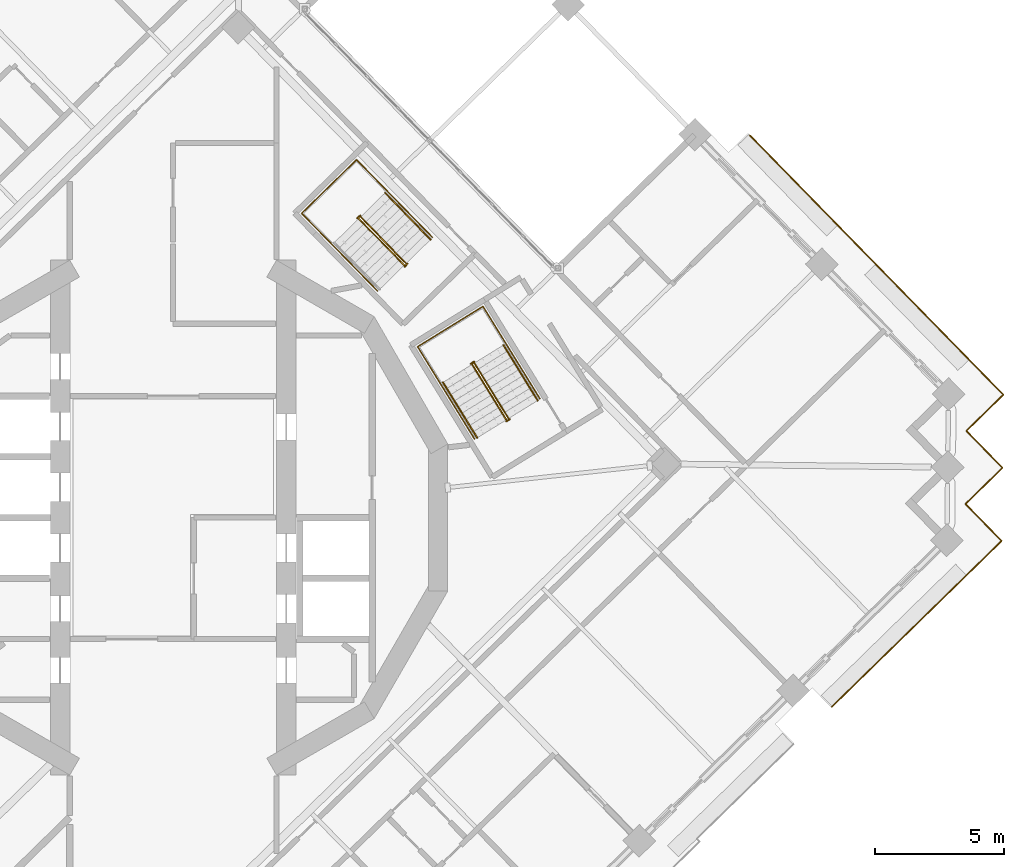
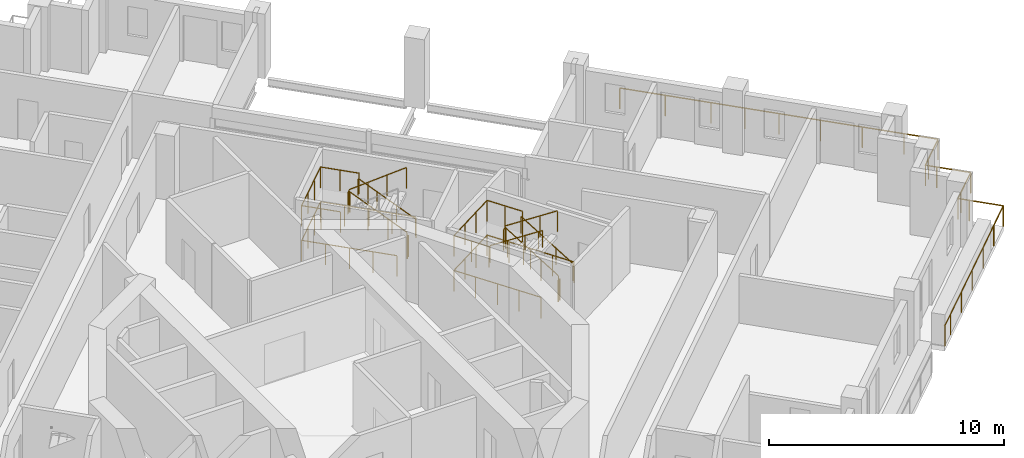
# One storey, part 18 of 20: 14 railings.
"""IFC4 building model written with IfcOpenShell, lengths in metres."""

from ifc_helpers import new_model, si_unit, direction, frame, origin, origin_2d, place, context, subcontext, project, spatial, circle, extrude, material, type_object, element, save


model = new_model("IFC4")

# Units and contexts
model_context = context("Model", 3, precision=1e-05, world=origin(), true_north=direction((0.0, 1.0)))
body_context = subcontext(model_context, "Body", "Model", "MODEL_VIEW")
ifc_project = project(units=[si_unit("LENGTHUNIT", "METRE"), si_unit("AREAUNIT", "SQUARE_METRE"), si_unit("VOLUMEUNIT", "CUBIC_METRE"), si_unit("PLANEANGLEUNIT", "RADIAN"), si_unit("MASSUNIT", "GRAM", prefix="KILO")], contexts=[model_context])

# Site, building, storey
site_placement = place(None, origin())
site = spatial("IfcSite", under=ifc_project, at=site_placement, CompositionType="ELEMENT")
building_placement = place(site_placement, origin())
building = spatial("IfcBuilding", under=site, at=building_placement, Name="Cantera Rosa Tower", CompositionType="ELEMENT")
storey_placement = place(building_placement, frame((0.0, 0.0, 209.0)))
storey = spatial("IfcBuildingStorey", under=building, at=storey_placement, Name="L44", CompositionType="ELEMENT", Elevation=209.0)

# Railings
ifc_material_1 = material(Name="Stainless steel and laminated glass", Category="steel")
railing_type_1 = type_object("IfcRailingType", Name="GUARD 1100", PredefinedType="BALUSTRADE", material=ifc_material_1)
railing_1_placement = place(storey_placement, frame((22.313232421875, 14.795654296875, 0.0)))
element("IfcRailing", 1, at=railing_1_placement, inside=storey, type_object=railing_type_1, Name="GUARD L44-12", PredefinedType="BALUSTRADE", context=body_context, shape_type="SweptSolid", body=[
    extrude(circle(Radius=0.030029296875, at=origin_2d()), frame((0.0, 0.0, 1.070068359375), z_axis=(0.698829866575, -0.715287926351, 0.0), x_axis=(0.715287926351, 0.698829866575, 0.0)), (0.0, 0.0, 1.0), 4.02001953125),
    extrude(circle(Radius=0.030029296875, at=origin_2d()), frame((2.809326171875, -2.87548828125, 1.070068359375), z_axis=(0.698839281014, -0.715278728407, 0.0), x_axis=(0.715278728407, 0.698839281014, 0.0)), (0.0, 0.0, 1.0), 3.0),
    extrude(circle(Radius=0.030029296875, at=origin_2d()), frame((4.90576171875, -5.021240234375, 1.070068359375), z_axis=(0.698810055914, -0.715307280652, 0.0), x_axis=(0.715307280652, 0.698810055914, 0.0)), (0.0, 0.0, 1.0), 5.52001953125),
    extrude(circle(Radius=0.030029296875, at=origin_2d()), frame((8.76318359375, -8.9697265625, 1.070068359375), z_axis=(0.698921594874, -0.71519829713, 0.0), x_axis=(0.71519829713, 0.698921594874, 0.0)), (0.0, 0.0, 1.0), 1.5),
    extrude(circle(Radius=0.030029296875, at=origin_2d()), frame((9.8115234375, -10.04248046875, 1.070068359375), z_axis=(-0.715277793538, -0.698840237873, 0.0), x_axis=(0.698840237873, -0.715277793538, 0.0)), (0.0, 0.0, 1.0), 1.5),
    extrude(circle(Radius=0.030029296875, at=origin_2d()), frame((8.738525390625, -11.0908203125, 1.070068359375), z_axis=(-0.715359149995, -0.698756958118, 0.0), x_axis=(0.698756958118, -0.715359149995, 0.0)), (0.0, 0.0, 1.0), 0.5),
    extrude(circle(Radius=0.030029296875, at=origin_2d()), frame((8.380859375, -11.440185546875, 1.070068359375), z_axis=(0.699006712162, -0.715115107065, 0.0), x_axis=(0.715115107065, 0.699006712162, 0.0)), (0.0, 0.0, 1.0), 0.500244140625),
    extrude(circle(Radius=0.030029296875, at=origin_2d()), frame((8.73046875, -11.7978515625, 1.070068359375), z_axis=(0.698756958118, -0.715359149995, 0.0), x_axis=(0.715359149995, 0.698756958118, 0.0)), (0.0, 0.0, 1.0), 1.5),
    extrude(circle(Radius=0.030029296875, at=origin_2d()), frame((9.778564453125, -12.870849609375, 1.070068359375), z_axis=(-0.71519829713, -0.698921594874, 0.0), x_axis=(0.698921594874, -0.71519829713, 0.0)), (0.0, 0.0, 1.0), 1.5),
    extrude(circle(Radius=0.030029296875, at=origin_2d()), frame((8.705810546875, -13.919189453125, 1.070068359375), z_axis=(-0.715359149995, -0.698756958118, 0.0), x_axis=(0.698756958118, -0.715359149995, 0.0)), (0.0, 0.0, 1.0), 0.5),
    extrude(circle(Radius=0.030029296875, at=origin_2d()), frame((8.34814453125, -14.2685546875, 1.070068359375), z_axis=(0.698756958118, -0.715359149995, 0.0), x_axis=(0.715359149995, 0.698756958118, 0.0)), (0.0, 0.0, 1.0), 0.5),
    extrude(circle(Radius=0.030029296875, at=origin_2d()), frame((8.697509765625, -14.626220703125, 1.070068359375), z_axis=(0.698838323933, -0.71527966349, 0.0), x_axis=(0.71527966349, 0.698838323933, 0.0)), (0.0, 0.0, 1.0), 1.499755859375),
    extrude(circle(Radius=0.030029296875, at=origin_2d()), frame((9.74560546875, -15.698974609375, 1.070068359375), z_axis=(-0.71519829713, -0.698921594874, 0.0), x_axis=(0.698921594874, -0.71519829713, 0.0)), (0.0, 0.0, 1.0), 1.5),
    extrude(circle(Radius=0.030029296875, at=origin_2d()), frame((8.6728515625, -16.747314453125, 1.070068359375), z_axis=(-0.715292116391, -0.698825577829, 0.0), x_axis=(0.698825577829, -0.715292116391, 0.0)), (0.0, 0.0, 1.0), 6.820068359375),
    extrude(circle(Radius=0.030029296875, at=origin_2d()), frame((3.79443359375, -21.513427734375, 1.070068359375), z_axis=(-0.715337030636, -0.698779602308, 0.0), x_axis=(0.698779602308, -0.715337030636, 0.0)), (0.0, 0.0, 1.0), 0.869873046875),
    extrude(circle(Radius=0.02490234375, at=origin_2d()), origin(), (0.0, 0.0, 1.0), 1.0400390625),
    extrude(circle(Radius=0.02490234375, at=origin_2d()), frame((1.40478515625, -1.437744140625, 0.0)), (0.0, 0.0, 1.0), 1.0400390625),
    extrude(circle(Radius=0.02490234375, at=origin_2d()), frame((2.809326171875, -2.87548828125, 0.0)), (0.0, 0.0, 1.0), 1.0400390625),
    extrude(circle(Radius=0.02490234375, at=origin_2d()), frame((3.857421875, -3.9482421875, 0.0)), (0.0, 0.0, 1.0), 1.0400390625),
    extrude(circle(Radius=0.02490234375, at=origin_2d()), frame((4.90576171875, -5.021240234375, 0.0)), (0.0, 0.0, 1.0), 1.0400390625),
    extrude(circle(Radius=0.02490234375, at=origin_2d()), frame((6.191650390625, -6.33740234375, 0.0)), (0.0, 0.0, 1.0), 1.0400390625),
    extrude(circle(Radius=0.02490234375, at=origin_2d()), frame((7.477294921875, -7.653564453125, 0.0)), (0.0, 0.0, 1.0), 1.0400390625),
    extrude(circle(Radius=0.02490234375, at=origin_2d()), frame((8.76318359375, -8.9697265625, 0.0)), (0.0, 0.0, 1.0), 1.0400390625),
    extrude(circle(Radius=0.02490234375, at=origin_2d()), frame((9.8115234375, -10.04248046875, 0.0)), (0.0, 0.0, 1.0), 1.0400390625),
    extrude(circle(Radius=0.02490234375, at=origin_2d()), frame((8.738525390625, -11.0908203125, 0.0)), (0.0, 0.0, 1.0), 1.0400390625),
    extrude(circle(Radius=0.02490234375, at=origin_2d()), frame((8.380859375, -11.440185546875, 0.0)), (0.0, 0.0, 1.0), 1.0400390625),
    extrude(circle(Radius=0.02490234375, at=origin_2d()), frame((8.73046875, -11.7978515625, 0.0)), (0.0, 0.0, 1.0), 1.0400390625),
    extrude(circle(Radius=0.02490234375, at=origin_2d()), frame((9.778564453125, -12.870849609375, 0.0)), (0.0, 0.0, 1.0), 1.0400390625),
    extrude(circle(Radius=0.02490234375, at=origin_2d()), frame((8.705810546875, -13.919189453125, 0.0)), (0.0, 0.0, 1.0), 1.0400390625),
    extrude(circle(Radius=0.02490234375, at=origin_2d()), frame((8.34814453125, -14.2685546875, 0.0)), (0.0, 0.0, 1.0), 1.0400390625),
    extrude(circle(Radius=0.02490234375, at=origin_2d()), frame((8.697509765625, -14.626220703125, 0.0)), (0.0, 0.0, 1.0), 1.0400390625),
    extrude(circle(Radius=0.02490234375, at=origin_2d()), frame((9.74560546875, -15.698974609375, 0.0)), (0.0, 0.0, 1.0), 1.0400390625),
    extrude(circle(Radius=0.02490234375, at=origin_2d()), frame((8.6728515625, -16.747314453125, 0.0)), (0.0, 0.0, 1.0), 1.0400390625),
    extrude(circle(Radius=0.02490234375, at=origin_2d()), frame((7.453125, -17.93896484375, 0.0)), (0.0, 0.0, 1.0), 1.0400390625),
    extrude(circle(Radius=0.02490234375, at=origin_2d()), frame((6.233642578125, -19.13037109375, 0.0)), (0.0, 0.0, 1.0), 1.0400390625),
    extrude(circle(Radius=0.02490234375, at=origin_2d()), frame((5.01416015625, -20.32177734375, 0.0)), (0.0, 0.0, 1.0), 1.0400390625),
    extrude(circle(Radius=0.02490234375, at=origin_2d()), frame((3.79443359375, -21.513427734375, 0.0)), (0.0, 0.0, 1.0), 1.0400390625),
    extrude(circle(Radius=0.02490234375, at=origin_2d()), frame((3.172119140625, -22.121337890625, 0.0)), (0.0, 0.0, 1.0), 1.0400390625),
])
ifc_material_2 = material(Name="Steel S355J2 (EN 10025-2)", Category="steel")
railing_type_2 = type_object("IfcRailingType", Name="STAIR GUARD 1100", PredefinedType="GUARDRAIL", material=ifc_material_2)
railing_2_placement = place(storey_placement, frame((12.9765625, 3.834228515625, 0.179931640625)))
element("IfcRailing", 2, at=railing_2_placement, inside=storey, type_object=railing_type_2, Name="L44 ST-41 stair guard 1", PredefinedType="GUARDRAIL", context=body_context, shape_type="SweptSolid", body=[
    extrude(circle(Radius=0.02392578125, at=origin_2d()), frame((0.0, 0.0, 1.076171875), z_axis=(-0.44154346381, 0.715939337315, 0.540805172729), x_axis=(-0.851145618652, -0.524929648476, 0.0)), (0.0, 0.0, 1.0), 2.995849609375),
    extrude(circle(Radius=0.02392578125, at=origin_2d()), frame((-1.32275390625, 2.144775390625, 2.6962890625), z_axis=(-0.073711968402, 0.997279572494, 0.0), x_axis=(-0.997279572494, -0.073711968402, 0.0)), (0.0, 0.0, 1.0), 0.056396484375),
    extrude(circle(Radius=0.02392578125, at=origin_2d()), frame((-1.326904296875, 2.200927734375, 2.6962890625), z_axis=(-0.851546489876, -0.524279100842, 0.0), x_axis=(0.524279100842, -0.851546489876, 0.0)), (0.0, 0.0, 1.0), 0.14990234375),
    extrude(circle(Radius=0.02099609375, at=origin_2d()), origin(), (0.0, 0.0, 1.0), 1.052001953125),
    extrude(circle(Radius=0.02099609375, at=origin_2d()), frame((-0.44091796875, 0.71484375, 0.5400390625)), (0.0, 0.0, 1.0), 1.052001953125),
    extrude(circle(Radius=0.02099609375, at=origin_2d()), frame((-0.8818359375, 1.429931640625, 1.080078125)), (0.0, 0.0, 1.0), 1.052001953125),
    extrude(circle(Radius=0.02099609375, at=origin_2d()), frame((-1.32275390625, 2.144775390625, 1.6201171875)), (0.0, 0.0, 1.0), 1.052001953125),
    extrude(circle(Radius=0.02099609375, at=origin_2d()), frame((-1.326904296875, 2.200927734375, 1.6201171875)), (0.0, 0.0, 1.0), 1.052001953125),
    extrude(circle(Radius=0.02099609375, at=origin_2d()), frame((-1.45458984375, 2.122314453125, 1.6201171875)), (0.0, 0.0, 1.0), 1.052001953125),
])
railing_3_placement = place(storey_placement, frame((11.5703125, 5.927490234375, 1.97998046875)))
element("IfcRailing", 3, at=railing_3_placement, inside=storey, type_object=railing_type_2, Name="L44 ST-41 stair guard 2", PredefinedType="GUARDRAIL", context=body_context, shape_type="SweptSolid", body=[
    extrude(circle(Radius=0.02392578125, at=origin_2d()), frame((0.0, 0.0, 1.076171875), z_axis=(0.441609067481, -0.715913574058, 0.540785711718), x_axis=(0.851102330005, 0.524999832248, 0.0)), (0.0, 0.0, 1.0), 2.995849609375),
    extrude(circle(Radius=0.02099609375, at=origin_2d()), origin(), (0.0, 0.0, 1.0), 1.052001953125),
    extrude(circle(Radius=0.02099609375, at=origin_2d()), frame((0.44091796875, -0.71484375, 0.5400390625)), (0.0, 0.0, 1.0), 1.052001953125),
    extrude(circle(Radius=0.02099609375, at=origin_2d()), frame((0.882080078125, -1.429931640625, 1.080078125)), (0.0, 0.0, 1.0), 1.052001953125),
    extrude(circle(Radius=0.02099609375, at=origin_2d()), frame((1.322998046875, -2.144775390625, 1.6201171875)), (0.0, 0.0, 1.0), 1.052001953125),
])
railing_4_placement = place(storey_placement, frame((13.025146484375, 3.80517578125, 0.0)))
element("IfcRailing", 4, at=railing_4_placement, inside=storey, type_object=railing_type_2, Name="L44 ST-41 stair guard 3", PredefinedType="GUARDRAIL", context=body_context, shape_type="SweptSolid", body=[
    extrude(circle(Radius=0.02392578125, at=origin_2d()), frame((0.0, 0.0, 1.076171875), z_axis=(-0.851546489876, -0.524279100842, 0.0), x_axis=(0.524279100842, -0.851546489876, 0.0)), (0.0, 0.0, 1.0), 0.14990234375),
    extrude(circle(Radius=0.02099609375, at=origin_2d()), origin(), (0.0, 0.0, 1.0), 1.052001953125),
    extrude(circle(Radius=0.02099609375, at=origin_2d()), frame((-0.127685546875, -0.07861328125, 0.0)), (0.0, 0.0, 1.0), 1.052001953125),
])
railing_5_placement = place(storey_placement, frame((14.192626953125, 4.59814453125, 0.0)))
element("IfcRailing", 5, at=railing_5_placement, inside=storey, type_object=railing_type_2, Name="L44 ST-41 stair guard 4", PredefinedType="GUARDRAIL", context=body_context, shape_type="SweptSolid", body=[
    extrude(circle(Radius=0.02392578125, at=origin_2d()), frame((0.0, 0.0, 1.076171875), z_axis=(-0.524976478809, 0.851116735059, 0.0), x_axis=(-0.851116735059, -0.524976478809, 0.0)), (0.0, 0.0, 1.0), 4.197998046875),
    extrude(circle(Radius=0.02392578125, at=origin_2d()), frame((-2.203857421875, 3.572998046875, 1.076171875), z_axis=(-0.851132917336, -0.524950242429, 0.0), x_axis=(0.524950242429, -0.851132917336, 0.0)), (0.0, 0.0, 1.0), 2.969970703125),
    extrude(circle(Radius=0.02392578125, at=origin_2d()), frame((-4.731689453125, 2.013916015625, 1.076171875), z_axis=(0.524976478809, -0.851116735059, 0.0), x_axis=(0.851116735059, 0.524976478809, 0.0)), (0.0, 0.0, 1.0), 4.197998046875),
    extrude(circle(Radius=0.02099609375, at=origin_2d()), origin(), (0.0, 0.0, 1.0), 1.052001953125),
    extrude(circle(Radius=0.02099609375, at=origin_2d()), frame((-0.551025390625, 0.893310546875, 0.0)), (0.0, 0.0, 1.0), 1.052001953125),
    extrude(circle(Radius=0.02099609375, at=origin_2d()), frame((-1.10205078125, 1.78662109375, 0.0)), (0.0, 0.0, 1.0), 1.052001953125),
    extrude(circle(Radius=0.02099609375, at=origin_2d()), frame((-1.65283203125, 2.6796875, 0.0)), (0.0, 0.0, 1.0), 1.052001953125),
    extrude(circle(Radius=0.02099609375, at=origin_2d()), frame((-2.203857421875, 3.572998046875, 0.0)), (0.0, 0.0, 1.0), 1.052001953125),
    extrude(circle(Radius=0.02099609375, at=origin_2d()), frame((-3.04638671875, 3.05322265625, 0.0)), (0.0, 0.0, 1.0), 1.052001953125),
    extrude(circle(Radius=0.02099609375, at=origin_2d()), frame((-3.88916015625, 2.53369140625, 0.0)), (0.0, 0.0, 1.0), 1.052001953125),
    extrude(circle(Radius=0.02099609375, at=origin_2d()), frame((-4.731689453125, 2.013916015625, 0.0)), (0.0, 0.0, 1.0), 1.052001953125),
    extrude(circle(Radius=0.02099609375, at=origin_2d()), frame((-4.1806640625, 1.12060546875, 0.0)), (0.0, 0.0, 1.0), 1.052001953125),
    extrude(circle(Radius=0.02099609375, at=origin_2d()), frame((-3.6298828125, 0.2275390625, 0.0)), (0.0, 0.0, 1.0), 1.052001953125),
    extrude(circle(Radius=0.02099609375, at=origin_2d()), frame((-3.078857421875, -0.665771484375, 0.0)), (0.0, 0.0, 1.0), 1.052001953125),
    extrude(circle(Radius=0.02099609375, at=origin_2d()), frame((-2.52783203125, -1.55908203125, 0.0)), (0.0, 0.0, 1.0), 1.052001953125),
])
railing_6_placement = place(storey_placement, frame((12.88232421875, 6.72265625, 1.800048828125)))
element("IfcRailing", 6, at=railing_6_placement, inside=storey, type_object=railing_type_2, Name="L44 ST-41 stair guard 5", PredefinedType="GUARDRAIL", context=body_context, shape_type="SweptSolid", body=[
    extrude(circle(Radius=0.02392578125, at=origin_2d()), frame((0.0, 0.0, 1.076171875), z_axis=(-0.525025534833, 0.851086474909, 0.0), x_axis=(-0.851086474909, -0.525025534833, 0.0)), (0.0, 0.0, 1.0), 1.701904296875),
    extrude(circle(Radius=0.02392578125, at=origin_2d()), frame((-0.8935546875, 1.448486328125, 1.076171875), z_axis=(-0.851132917336, -0.524950242429, 0.0), x_axis=(0.524950242429, -0.851132917336, 0.0)), (0.0, 0.0, 1.0), 2.969970703125),
    extrude(circle(Radius=0.02392578125, at=origin_2d()), frame((-3.42138671875, -0.110595703125, 1.076171875), z_axis=(0.524961441845, -0.851126009811, 0.0), x_axis=(0.851126009811, 0.524961441845, 0.0)), (0.0, 0.0, 1.0), 1.7021484375),
    extrude(circle(Radius=0.02099609375, at=origin_2d()), origin(), (0.0, 0.0, 1.0), 1.052001953125),
    extrude(circle(Radius=0.02099609375, at=origin_2d()), frame((-0.44677734375, 0.72412109375, 0.0)), (0.0, 0.0, 1.0), 1.052001953125),
    extrude(circle(Radius=0.02099609375, at=origin_2d()), frame((-0.8935546875, 1.448486328125, 0.0)), (0.0, 0.0, 1.0), 1.052001953125),
    extrude(circle(Radius=0.02099609375, at=origin_2d()), frame((-1.736083984375, 0.9287109375, 0.0)), (0.0, 0.0, 1.0), 1.052001953125),
    extrude(circle(Radius=0.02099609375, at=origin_2d()), frame((-2.578857421875, 0.4091796875, 0.0)), (0.0, 0.0, 1.0), 1.052001953125),
    extrude(circle(Radius=0.02099609375, at=origin_2d()), frame((-3.42138671875, -0.110595703125, 0.0)), (0.0, 0.0, 1.0), 1.052001953125),
    extrude(circle(Radius=0.02099609375, at=origin_2d()), frame((-2.974609375, -0.8349609375, 0.0)), (0.0, 0.0, 1.0), 1.052001953125),
    extrude(circle(Radius=0.02099609375, at=origin_2d()), frame((-2.52783203125, -1.559326171875, 0.0)), (0.0, 0.0, 1.0), 1.052001953125),
])
railing_7_placement = place(storey_placement, frame((9.013427734375, 9.832763671875, 0.179931640625)))
element("IfcRailing", 7, at=railing_7_placement, inside=storey, type_object=railing_type_2, Name="L44 ST-42 stair guard 1", PredefinedType="GUARDRAIL", context=body_context, shape_type="SweptSolid", body=[
    extrude(circle(Radius=0.02392578125, at=origin_2d()), frame((0.0, 0.0, 1.076171875), z_axis=(-0.587818193466, 0.601672219931, 0.54079599776), x_axis=(-0.715293958342, -0.698823692472, 0.0)), (0.0, 0.0, 1.0), 2.995849609375),
    extrude(circle(Radius=0.02392578125, at=origin_2d()), frame((-1.760986328125, 1.802490234375, 2.6962890625), z_axis=(-0.290127576896, 0.956987977523, 0.0), x_axis=(-0.956987977523, -0.290127576896, 0.0)), (0.0, 0.0, 1.0), 0.056396484375),
    extrude(circle(Radius=0.02392578125, at=origin_2d()), frame((-1.77734375, 1.8564453125, 2.6962890625), z_axis=(-0.71600013962, -0.69810013613, 0.0), x_axis=(0.69810013613, -0.71600013962, 0.0)), (0.0, 0.0, 1.0), 0.150146484375),
    extrude(circle(Radius=0.02099609375, at=origin_2d()), origin(), (0.0, 0.0, 1.0), 1.052001953125),
    extrude(circle(Radius=0.02099609375, at=origin_2d()), frame((-0.5869140625, 0.600830078125, 0.5400390625)), (0.0, 0.0, 1.0), 1.052001953125),
    extrude(circle(Radius=0.02099609375, at=origin_2d()), frame((-1.174072265625, 1.20166015625, 1.080078125)), (0.0, 0.0, 1.0), 1.052001953125),
    extrude(circle(Radius=0.02099609375, at=origin_2d()), frame((-1.760986328125, 1.802490234375, 1.6201171875)), (0.0, 0.0, 1.0), 1.052001953125),
    extrude(circle(Radius=0.02099609375, at=origin_2d()), frame((-1.77734375, 1.8564453125, 1.6201171875)), (0.0, 0.0, 1.0), 1.052001953125),
    extrude(circle(Radius=0.02099609375, at=origin_2d()), frame((-1.884765625, 1.751708984375, 1.6201171875)), (0.0, 0.0, 1.0), 1.052001953125),
])
railing_8_placement = place(storey_placement, frame((7.182373046875, 11.56689453125, 1.97998046875)))
element("IfcRailing", 8, at=railing_8_placement, inside=storey, type_object=railing_type_2, Name="L44 ST-42 stair guard 2", PredefinedType="GUARDRAIL", context=body_context, shape_type="SweptSolid", body=[
    extrude(circle(Radius=0.02392578125, at=origin_2d()), frame((0.0, 0.0, 1.076171875), z_axis=(0.587818193466, -0.601672219931, 0.54079599776), x_axis=(0.715293958342, 0.698823692472, 0.0)), (0.0, 0.0, 1.0), 2.995849609375),
    extrude(circle(Radius=0.02099609375, at=origin_2d()), origin(), (0.0, 0.0, 1.0), 1.052001953125),
    extrude(circle(Radius=0.02099609375, at=origin_2d()), frame((0.5869140625, -0.600830078125, 0.5400390625)), (0.0, 0.0, 1.0), 1.052001953125),
    extrude(circle(Radius=0.02099609375, at=origin_2d()), frame((1.174072265625, -1.20166015625, 1.080078125)), (0.0, 0.0, 1.0), 1.052001953125),
    extrude(circle(Radius=0.02099609375, at=origin_2d()), frame((1.760986328125, -1.802490234375, 1.6201171875)), (0.0, 0.0, 1.0), 1.052001953125),
])
railing_9_placement = place(storey_placement, frame((9.06689453125, 9.815185546875, 0.0)))
element("IfcRailing", 9, at=railing_9_placement, inside=storey, type_object=railing_type_2, Name="L44 ST-42 stair guard 3", PredefinedType="GUARDRAIL", context=body_context, shape_type="SweptSolid", body=[
    extrude(circle(Radius=0.02392578125, at=origin_2d()), frame((0.0, 0.0, 1.076171875), z_axis=(-0.715205710557, -0.698914008722, 0.0), x_axis=(0.698914008722, -0.715205710557, 0.0)), (0.0, 0.0, 1.0), 0.14990234375),
    extrude(circle(Radius=0.02099609375, at=origin_2d()), origin(), (0.0, 0.0, 1.0), 1.052001953125),
    extrude(circle(Radius=0.02099609375, at=origin_2d()), frame((-0.107177734375, -0.104736328125, 0.0)), (0.0, 0.0, 1.0), 1.052001953125),
])
railing_10_placement = place(storey_placement, frame((10.0322265625, 10.844970703125, 0.0)))
element("IfcRailing", 10, at=railing_10_placement, inside=storey, type_object=railing_type_2, Name="L44 ST-42 stair guard 4", PredefinedType="GUARDRAIL", context=body_context, shape_type="SweptSolid", body=[
    extrude(circle(Radius=0.02392578125, at=origin_2d()), frame((0.0, 0.0, 1.076171875), z_axis=(-0.698859254364, 0.715259213566, 0.0), x_axis=(-0.715259213566, -0.698859254364, 0.0)), (0.0, 0.0, 1.0), 4.197998046875),
    extrude(circle(Radius=0.02392578125, at=origin_2d()), frame((-2.933837890625, 3.002685546875, 1.076171875), z_axis=(-0.715279654138, -0.698838333505, 0.0), x_axis=(0.698838333505, -0.715279654138, 0.0)), (0.0, 0.0, 1.0), 2.9697265625),
    extrude(circle(Radius=0.02392578125, at=origin_2d()), frame((-5.05810546875, 0.92724609375, 1.076171875), z_axis=(0.698829500247, -0.715288284249, 0.0), x_axis=(0.715288284249, 0.698829500247, 0.0)), (0.0, 0.0, 1.0), 4.19775390625),
    extrude(circle(Radius=0.02099609375, at=origin_2d()), origin(), (0.0, 0.0, 1.0), 1.052001953125),
    extrude(circle(Radius=0.02099609375, at=origin_2d()), frame((-0.7333984375, 0.750732421875, 0.0)), (0.0, 0.0, 1.0), 1.052001953125),
    extrude(circle(Radius=0.02099609375, at=origin_2d()), frame((-1.466796875, 1.50146484375, 0.0)), (0.0, 0.0, 1.0), 1.052001953125),
    extrude(circle(Radius=0.02099609375, at=origin_2d()), frame((-2.200439453125, 2.251953125, 0.0)), (0.0, 0.0, 1.0), 1.052001953125),
    extrude(circle(Radius=0.02099609375, at=origin_2d()), frame((-2.933837890625, 3.002685546875, 0.0)), (0.0, 0.0, 1.0), 1.052001953125),
    extrude(circle(Radius=0.02099609375, at=origin_2d()), frame((-3.641845703125, 2.310791015625, 0.0)), (0.0, 0.0, 1.0), 1.052001953125),
    extrude(circle(Radius=0.02099609375, at=origin_2d()), frame((-4.35009765625, 1.619140625, 0.0)), (0.0, 0.0, 1.0), 1.052001953125),
    extrude(circle(Radius=0.02099609375, at=origin_2d()), frame((-5.05810546875, 0.92724609375, 0.0)), (0.0, 0.0, 1.0), 1.052001953125),
    extrude(circle(Radius=0.02099609375, at=origin_2d()), frame((-4.32470703125, 0.176513671875, 0.0)), (0.0, 0.0, 1.0), 1.052001953125),
    extrude(circle(Radius=0.02099609375, at=origin_2d()), frame((-3.59130859375, -0.57421875, 0.0)), (0.0, 0.0, 1.0), 1.052001953125),
    extrude(circle(Radius=0.02099609375, at=origin_2d()), frame((-2.85791015625, -1.32470703125, 0.0)), (0.0, 0.0, 1.0), 1.052001953125),
    extrude(circle(Radius=0.02099609375, at=origin_2d()), frame((-2.12451171875, -2.075439453125, 0.0)), (0.0, 0.0, 1.0), 1.052001953125),
])
railing_11_placement = place(storey_placement, frame((8.287841796875, 12.63037109375, 1.800048828125)))
element("IfcRailing", 11, at=railing_11_placement, inside=storey, type_object=railing_type_2, Name="L44 ST-42 stair guard 5", PredefinedType="GUARDRAIL", context=body_context, shape_type="SweptSolid", body=[
    extrude(circle(Radius=0.02392578125, at=origin_2d()), frame((0.0, 0.0, 1.076171875), z_axis=(-0.698882919007, 0.715236090757, 0.0), x_axis=(-0.715236090757, -0.698882919007, 0.0)), (0.0, 0.0, 1.0), 1.701904296875),
    extrude(circle(Radius=0.02392578125, at=origin_2d()), frame((-1.189453125, 1.21728515625, 1.076171875), z_axis=(-0.715279654138, -0.698838333505, 0.0), x_axis=(0.698838333505, -0.715279654138, 0.0)), (0.0, 0.0, 1.0), 2.9697265625),
    extrude(circle(Radius=0.02392578125, at=origin_2d()), frame((-3.313720703125, -0.858154296875, 1.076171875), z_axis=(0.698811217595, -0.715306145761, 0.0), x_axis=(0.715306145761, 0.698811217595, 0.0)), (0.0, 0.0, 1.0), 1.7021484375),
    extrude(circle(Radius=0.02099609375, at=origin_2d()), origin(), (0.0, 0.0, 1.0), 1.052001953125),
    extrude(circle(Radius=0.02099609375, at=origin_2d()), frame((-0.5947265625, 0.608642578125, 0.0)), (0.0, 0.0, 1.0), 1.052001953125),
    extrude(circle(Radius=0.02099609375, at=origin_2d()), frame((-1.189453125, 1.21728515625, 0.0)), (0.0, 0.0, 1.0), 1.052001953125),
    extrude(circle(Radius=0.02099609375, at=origin_2d()), frame((-1.8974609375, 0.525390625, 0.0)), (0.0, 0.0, 1.0), 1.052001953125),
    extrude(circle(Radius=0.02099609375, at=origin_2d()), frame((-2.605712890625, -0.166259765625, 0.0)), (0.0, 0.0, 1.0), 1.052001953125),
    extrude(circle(Radius=0.02099609375, at=origin_2d()), frame((-3.313720703125, -0.858154296875, 0.0)), (0.0, 0.0, 1.0), 1.052001953125),
    extrude(circle(Radius=0.02099609375, at=origin_2d()), frame((-2.718994140625, -1.466796875, 0.0)), (0.0, 0.0, 1.0), 1.052001953125),
    extrude(circle(Radius=0.02099609375, at=origin_2d()), frame((-2.124267578125, -2.07568359375, 0.0)), (0.0, 0.0, 1.0), 1.052001953125),
])
ifc_material_3 = material(Name="Steel S355J2 (EN 10025-2)", Category="steel")
railing_type_3 = type_object("IfcRailingType", Name="STAIR HANDRAIL 900", PredefinedType="HANDRAIL", material=ifc_material_3)
railing_12_placement = place(storey_placement, frame((14.105224609375, 4.5302734375, 0.179931640625)))
element("IfcRailing", 12, at=railing_12_placement, inside=storey, type_object=railing_type_3, Name="L44 ST-41 stair handrail 1", PredefinedType="HANDRAIL", context=body_context, shape_type="SweptSolid", body=[
    extrude(circle(Radius=0.02392578125, at=origin_2d()), frame((0.0, 0.0, 0.8759765625), z_axis=(-0.441609067481, 0.715913574058, 0.540785711718), x_axis=(-0.851102330005, -0.524999832248, 0.0)), (0.0, 0.0, 1.0), 2.995849609375),
    extrude(circle(Radius=0.02099609375, at=origin_2d()), origin(), (0.0, 0.0, 1.0), 0.851806640625),
    extrude(circle(Radius=0.02099609375, at=origin_2d()), frame((-0.44091796875, 0.71484375, 0.5400390625)), (0.0, 0.0, 1.0), 0.851806640625),
    extrude(circle(Radius=0.02099609375, at=origin_2d()), frame((-0.882080078125, 1.429931640625, 1.080078125)), (0.0, 0.0, 1.0), 0.851806640625),
    extrude(circle(Radius=0.02099609375, at=origin_2d()), frame((-1.322998046875, 2.144775390625, 1.6201171875)), (0.0, 0.0, 1.0), 0.851806640625),
])
railing_13_placement = place(storey_placement, frame((10.441650390625, 5.2314453125, 1.97998046875)))
element("IfcRailing", 13, at=railing_13_placement, inside=storey, type_object=railing_type_3, Name="L44 ST-41 stair handrail 2", PredefinedType="HANDRAIL", context=body_context, shape_type="SweptSolid", body=[
    extrude(circle(Radius=0.02392578125, at=origin_2d()), frame((0.0, 0.0, 0.8759765625), z_axis=(0.441609067481, -0.715913574058, 0.540785711718), x_axis=(0.851102330005, 0.524999832248, 0.0)), (0.0, 0.0, 1.0), 2.995849609375),
    extrude(circle(Radius=0.02099609375, at=origin_2d()), origin(), (0.0, 0.0, 1.0), 0.851806640625),
    extrude(circle(Radius=0.02099609375, at=origin_2d()), frame((0.44091796875, -0.71484375, 0.5400390625)), (0.0, 0.0, 1.0), 0.851806640625),
    extrude(circle(Radius=0.02099609375, at=origin_2d()), frame((0.882080078125, -1.429931640625, 1.080078125)), (0.0, 0.0, 1.0), 0.851806640625),
    extrude(circle(Radius=0.02099609375, at=origin_2d()), frame((1.322998046875, -2.144775390625, 1.6201171875)), (0.0, 0.0, 1.0), 0.851806640625),
])
railing_14_placement = place(storey_placement, frame((9.9619140625, 10.759521484375, 0.179931640625)))
element("IfcRailing", 14, at=railing_14_placement, inside=storey, type_object=railing_type_3, Name="L44 ST-42 stair handrail 1", PredefinedType="HANDRAIL", context=body_context, shape_type="SweptSolid", body=[
    extrude(circle(Radius=0.02392578125, at=origin_2d()), frame((0.0, 0.0, 0.8759765625), z_axis=(-0.587818193466, 0.601672219931, 0.54079599776), x_axis=(-0.715293958342, -0.698823692472, 0.0)), (0.0, 0.0, 1.0), 2.995849609375),
    extrude(circle(Radius=0.02099609375, at=origin_2d()), origin(), (0.0, 0.0, 1.0), 0.851806640625),
    extrude(circle(Radius=0.02099609375, at=origin_2d()), frame((-0.5869140625, 0.600830078125, 0.5400390625)), (0.0, 0.0, 1.0), 0.851806640625),
    extrude(circle(Radius=0.02099609375, at=origin_2d()), frame((-1.174072265625, 1.20166015625, 1.080078125)), (0.0, 0.0, 1.0), 0.851806640625),
    extrude(circle(Radius=0.02099609375, at=origin_2d()), frame((-1.760986328125, 1.802490234375, 1.6201171875)), (0.0, 0.0, 1.0), 0.851806640625),
])

save(model, "model.ifc")
